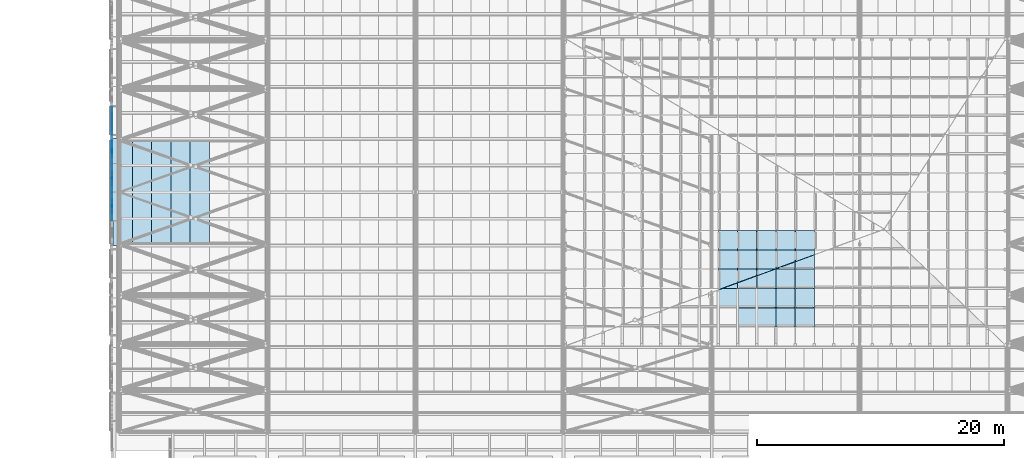
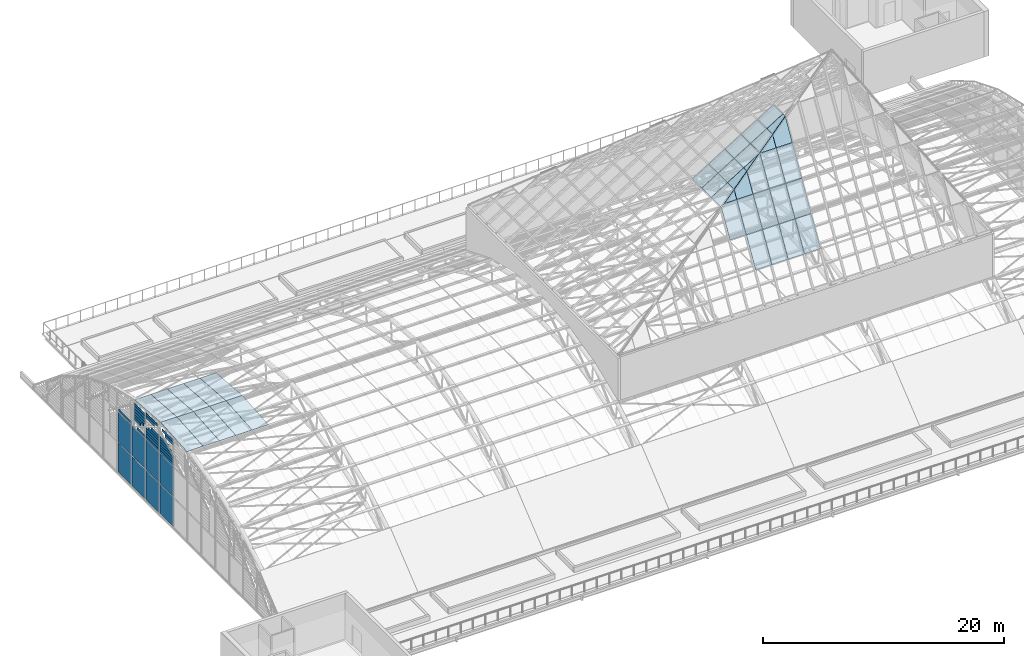
# One storey, part 54 of 110: 71 plates, 1 element without a shape of its own.
"""IFC4 building model written with IfcOpenShell, lengths in metres."""

from ifc_helpers import new_model, si_unit, direction, frame, origin, place, context, subcontext, project, spatial, polyline, outline, extrude, material, layer, layer_set, type_object, element, aggregate, save


model = new_model("IFC4")

# Units and contexts
model_context = context("Model", 3, precision=1e-05, world=origin(), true_north=direction((0.0, 1.0)))
body_context = subcontext(model_context, "Body", "Model", "MODEL_VIEW")
ifc_project = project(units=[si_unit("LENGTHUNIT", "METRE"), si_unit("AREAUNIT", "SQUARE_METRE"), si_unit("VOLUMEUNIT", "CUBIC_METRE"), si_unit("PLANEANGLEUNIT", "RADIAN"), si_unit("MASSUNIT", "GRAM", prefix="KILO")], contexts=[model_context])

# Site, building, storey
site_placement = place(None, origin())
site = spatial("IfcSite", under=ifc_project, at=site_placement, CompositionType="ELEMENT")
building_placement = place(site_placement, origin())
building = spatial("IfcBuilding", under=site, at=building_placement, Name="Windward Yard Aquatics Centre", CompositionType="ELEMENT")
storey_placement = place(building_placement, frame((0.0, 0.0, 22.60009765625)))
storey = spatial("IfcBuildingStorey", under=building, at=storey_placement, Name="L05", CompositionType="ELEMENT", Elevation=22.60009765625)

# Curtain wall, plates
ifc_material_1 = material(Name="Glass and aluminium curtain wall", Category="aluminium")
ifc_layer_1 = layer(ifc_material_1, 0.179931640625)
ifc_layer_set_1 = layer_set([ifc_layer_1], Name="H gable glazing system double glazed 8+16+8")
curtain_wall_type = type_object("IfcCurtainWallType", Name="H gable glazing system double glazed 8+16+8", PredefinedType="NOTDEFINED", material=ifc_layer_set_1)
curtain_wall_placement = place(storey_placement, origin())
curtain_wall = element("IfcCurtainWall", 1, at=curtain_wall_placement, inside=storey, type_object=curtain_wall_type, Name="Gable glazing W", PredefinedType="NOTDEFINED")
ifc_material_2 = material(Name="Low-iron glass", Category="glass")
ifc_layer_2 = layer(ifc_material_2, 0.008, Name="Outer pane")
ifc_material_3 = material(Name="Argon-filled cavity")
ifc_layer_3 = layer(ifc_material_3, 0.016, Name="Cavity")
ifc_layer_4 = layer(ifc_material_2, 0.008, Name="Inner pane")
ifc_layer_set_2 = layer_set([ifc_layer_2, ifc_layer_3, ifc_layer_4], Name="H gable glass low-e double glazed unit 32")
plate_type_1 = type_object("IfcPlateType", Name="H gable glass low-e double glazed unit 32", PredefinedType="CURTAIN_PANEL", material=ifc_layer_set_2)
plate_1_placement = place(storey_placement, frame((59.39404296875, 58.71337890625, 0.099853515625), z_axis=(-1.0, 0.0, 0.0), x_axis=(0.0, 0.0, 1.0)))
plate_1 = element("IfcPlate", 2, at=plate_1_placement, type_object=plate_type_1, Name="Gable panel 9.1", PredefinedType="CURTAIN_PANEL", context=body_context, shape_type="SweptSolid", body=[
    extrude(outline(polyline([(0.0, 0.0), (2.949951, 0.0), (2.949951, 2.25415), (0.0, 2.25415), (0.0, 0.0)])), origin(), (0.0, 0.0, -1.0), 0.031982421875),
])
plate_2_placement = place(storey_placement, frame((59.39404296875, 58.71337890625, 3.14990234375), z_axis=(-1.0, 0.0, 0.0), x_axis=(0.0, 0.0, 1.0)))
plate_2 = element("IfcPlate", 3, at=plate_2_placement, type_object=plate_type_1, Name="Gable panel 9.2", PredefinedType="CURTAIN_PANEL", context=body_context, shape_type="SweptSolid", body=[
    extrude(outline(polyline([(0.0, 0.0), (3.0, 0.0), (3.0, 2.25415), (0.0, 2.25415), (0.0, 0.0)])), origin(), (0.0, 0.0, -1.0), 0.031982421875),
])
plate_3_placement = place(storey_placement, frame((59.426025390625, 58.71337890625, 6.25), z_axis=(1.0, 0.0, 0.0), x_axis=(0.0, 1.0, 0.0)))
plate_3 = element("IfcPlate", 4, at=plate_3_placement, type_object=plate_type_1, Name="Gable panel 9.3a", PredefinedType="CURTAIN_PANEL", context=body_context, shape_type="SweptSolid", body=[
    extrude(outline(polyline([(0.0, 0.0), (2.25415, 0.0), (2.25415, 0.275391), (0.0, 0.275391), (0.0, 0.0)])), origin(), (0.0, 0.0, -1.0), 0.031982421875),
])
plate_4_placement = place(storey_placement, frame((59.426025390625, 58.71337890625, 6.52587890625), z_axis=(1.0, 0.0, 0.0), x_axis=(0.0, 1.0, 0.0)))
plate_4 = element("IfcPlate", 5, at=plate_4_placement, type_object=plate_type_1, Name="Gable panel 9.3b", PredefinedType="CURTAIN_PANEL", context=body_context, shape_type="SweptSolid", body=[
    extrude(outline(polyline([(0.0, 0.0), (2.25415, 0.0), (2.25415, 0.275146), (0.0, 0.275146), (0.0, 0.0)])), origin(), (0.0, 0.0, -1.0), 0.031982421875),
])
plate_5_placement = place(storey_placement, frame((59.426025390625, 58.71337890625, 6.801513671875), z_axis=(1.0, 0.0, 0.0), x_axis=(0.0, 1.0, 0.0)))
plate_5 = element("IfcPlate", 6, at=plate_5_placement, type_object=plate_type_1, Name="Gable panel 9.3c", PredefinedType="CURTAIN_PANEL", context=body_context, shape_type="SweptSolid", body=[
    extrude(outline(polyline([(0.0, 0.0), (2.25415, 0.0), (2.25415, 0.275146), (0.0, 0.275146), (0.0, 0.0)])), origin(), (0.0, 0.0, -1.0), 0.031982421875),
])
plate_6_placement = place(storey_placement, frame((59.426025390625, 58.71337890625, 7.0771484375), z_axis=(1.0, 0.0, 0.0), x_axis=(0.0, 1.0, 0.0)))
plate_6 = element("IfcPlate", 7, at=plate_6_placement, type_object=plate_type_1, Name="Gable panel 9.3d", PredefinedType="CURTAIN_PANEL", context=body_context, shape_type="SweptSolid", body=[
    extrude(outline(polyline([(0.0, 0.0), (2.25415, 0.0), (2.25415, 0.275146), (0.0, 0.275146), (0.0, 0.0)])), origin(), (0.0, 0.0, -1.0), 0.031982421875),
])
plate_7_placement = place(storey_placement, frame((59.426025390625, 59.1123046875, 7.352783203125), z_axis=(1.0, 0.0, 0.0), x_axis=(0.0, 1.0, 0.0)))
plate_7 = element("IfcPlate", 8, at=plate_7_placement, type_object=plate_type_1, Name="Gable panel 9.3e", PredefinedType="CURTAIN_PANEL", context=body_context, shape_type="SweptSolid", body=[
    extrude(outline(polyline([(0.0, 0.0), (1.855225, 0.0), (1.855225, 0.275146), (0.0, 0.275146), (0.0, 0.0)])), origin(), (0.0, 0.0, -1.0), 0.031982421875),
])
plate_8_placement = place(storey_placement, frame((59.426025390625, 59.575927734375, 7.62841796875), z_axis=(1.0, 0.0, 0.0), x_axis=(0.0, 1.0, 0.0)))
plate_8 = element("IfcPlate", 9, at=plate_8_placement, type_object=plate_type_1, Name="Gable panel 9.3f", PredefinedType="CURTAIN_PANEL", context=body_context, shape_type="SweptSolid", body=[
    extrude(outline(polyline([(0.0, 0.0), (1.391602, 0.0), (1.391602, 0.275146), (0.0, 0.275146), (0.0, 0.0)])), origin(), (0.0, 0.0, -1.0), 0.031982421875),
])
plate_9_placement = place(storey_placement, frame((59.426025390625, 58.71337890625, 8.332275390625), z_axis=(1.0, 0.0, 0.0), x_axis=(0.0, 1.0, 0.0)))
plate_9 = element("IfcPlate", 10, at=plate_9_placement, type_object=plate_type_1, Name="Gable panel 9.3k", PredefinedType="CURTAIN_PANEL", context=body_context, shape_type="SweptSolid", body=[
    extrude(outline(polyline([(0.0, 0.0), (1.427246, 0.0), (1.427246, 0.282471), (0.0, 0.282471), (0.0, 0.0)])), origin(), (0.0, 0.0, -1.0), 0.031982421875),
])
plate_10_placement = place(storey_placement, frame((59.426025390625, 58.71337890625, 8.614990234375), z_axis=(1.0, 0.0, 0.0), x_axis=(0.0, 1.0, 0.0)))
plate_10 = element("IfcPlate", 11, at=plate_10_placement, type_object=plate_type_1, Name="Gable panel 9.3l", PredefinedType="CURTAIN_PANEL", context=body_context, shape_type="SweptSolid", body=[
    extrude(outline(polyline([(0.0, 0.0), (1.902832, 0.0), (1.902832, 0.282471), (0.0, 0.282471), (0.0, 0.0)])), origin(), (0.0, 0.0, -1.0), 0.031982421875),
])
plate_11_placement = place(storey_placement, frame((59.39404296875, 61.032470703125, 0.099853515625), z_axis=(-1.0, 0.0, 0.0), x_axis=(0.0, 0.0, 1.0)))
plate_11 = element("IfcPlate", 12, at=plate_11_placement, type_object=plate_type_1, Name="Gable panel 10.1", PredefinedType="CURTAIN_PANEL", context=body_context, shape_type="SweptSolid", body=[
    extrude(outline(polyline([(0.0, 0.0), (2.949951, 0.0), (2.949951, 2.25415), (0.0, 2.25415), (0.0, 0.0)])), origin(), (0.0, 0.0, -1.0), 0.031982421875),
])
plate_12_placement = place(storey_placement, frame((59.39404296875, 61.032470703125, 3.14990234375), z_axis=(-1.0, 0.0, 0.0), x_axis=(0.0, 0.0, 1.0)))
plate_12 = element("IfcPlate", 13, at=plate_12_placement, type_object=plate_type_1, Name="Gable panel 10.2", PredefinedType="CURTAIN_PANEL", context=body_context, shape_type="SweptSolid", body=[
    extrude(outline(polyline([(0.0, 0.0), (3.0, 0.0), (3.0, 2.25415), (0.0, 2.25415), (0.0, 0.0)])), origin(), (0.0, 0.0, -1.0), 0.031982421875),
])
plate_13_placement = place(storey_placement, frame((59.426025390625, 61.032470703125, 6.25), z_axis=(1.0, 0.0, 0.0), x_axis=(0.0, 1.0, 0.0)))
plate_13 = element("IfcPlate", 14, at=plate_13_placement, type_object=plate_type_1, Name="Gable panel 10.3a", PredefinedType="CURTAIN_PANEL", context=body_context, shape_type="SweptSolid", body=[
    extrude(outline(polyline([(0.0, 0.0), (2.25415, 0.0), (2.25415, 0.275391), (0.0, 0.275391), (0.0, 0.0)])), origin(), (0.0, 0.0, -1.0), 0.031982421875),
])
plate_14_placement = place(storey_placement, frame((59.426025390625, 61.032470703125, 6.52587890625), z_axis=(1.0, 0.0, 0.0), x_axis=(0.0, 1.0, 0.0)))
plate_14 = element("IfcPlate", 15, at=plate_14_placement, type_object=plate_type_1, Name="Gable panel 10.3b", PredefinedType="CURTAIN_PANEL", context=body_context, shape_type="SweptSolid", body=[
    extrude(outline(polyline([(0.0, 0.0), (2.25415, 0.0), (2.25415, 0.275146), (0.0, 0.275146), (0.0, 0.0)])), origin(), (0.0, 0.0, -1.0), 0.031982421875),
])
plate_15_placement = place(storey_placement, frame((59.426025390625, 61.032470703125, 6.801513671875), z_axis=(1.0, 0.0, 0.0), x_axis=(0.0, 1.0, 0.0)))
plate_15 = element("IfcPlate", 16, at=plate_15_placement, type_object=plate_type_1, Name="Gable panel 10.3c", PredefinedType="CURTAIN_PANEL", context=body_context, shape_type="SweptSolid", body=[
    extrude(outline(polyline([(0.0, 0.0), (2.25415, 0.0), (2.25415, 0.275146), (0.0, 0.275146), (0.0, 0.0)])), origin(), (0.0, 0.0, -1.0), 0.031982421875),
])
plate_16_placement = place(storey_placement, frame((59.426025390625, 61.032470703125, 7.0771484375), z_axis=(1.0, 0.0, 0.0), x_axis=(0.0, 1.0, 0.0)))
plate_16 = element("IfcPlate", 17, at=plate_16_placement, type_object=plate_type_1, Name="Gable panel 10.3d", PredefinedType="CURTAIN_PANEL", context=body_context, shape_type="SweptSolid", body=[
    extrude(outline(polyline([(0.0, 0.0), (2.25415, 0.0), (2.25415, 0.275146), (0.0, 0.275146), (0.0, 0.0)])), origin(), (0.0, 0.0, -1.0), 0.031982421875),
])
plate_17_placement = place(storey_placement, frame((59.426025390625, 61.032470703125, 7.352783203125), z_axis=(1.0, 0.0, 0.0), x_axis=(0.0, 1.0, 0.0)))
plate_17 = element("IfcPlate", 18, at=plate_17_placement, type_object=plate_type_1, Name="Gable panel 10.3e", PredefinedType="CURTAIN_PANEL", context=body_context, shape_type="SweptSolid", body=[
    extrude(outline(polyline([(0.0, 0.0), (1.855225, 0.0), (1.855225, 0.275146), (0.0, 0.275146), (0.0, 0.0)])), origin(), (0.0, 0.0, -1.0), 0.031982421875),
])
plate_18_placement = place(storey_placement, frame((59.426025390625, 61.032470703125, 7.62841796875), z_axis=(1.0, 0.0, 0.0), x_axis=(0.0, 1.0, 0.0)))
plate_18 = element("IfcPlate", 19, at=plate_18_placement, type_object=plate_type_1, Name="Gable panel 10.3f", PredefinedType="CURTAIN_PANEL", context=body_context, shape_type="SweptSolid", body=[
    extrude(outline(polyline([(0.0, 0.0), (1.391602, 0.0), (1.391602, 0.275146), (0.0, 0.275146), (0.0, 0.0)])), origin(), (0.0, 0.0, -1.0), 0.031982421875),
])
plate_19_placement = place(storey_placement, frame((59.426025390625, 61.859375, 8.332275390625), z_axis=(1.0, 0.0, 0.0), x_axis=(0.0, 1.0, 0.0)))
plate_19 = element("IfcPlate", 20, at=plate_19_placement, type_object=plate_type_1, Name="Gable panel 10.3k", PredefinedType="CURTAIN_PANEL", context=body_context, shape_type="SweptSolid", body=[
    extrude(outline(polyline([(0.0, 0.0), (1.427246, 0.0), (1.427246, 0.282471), (0.0, 0.282471), (0.0, 0.0)])), origin(), (0.0, 0.0, -1.0), 0.031982421875),
])
plate_20_placement = place(storey_placement, frame((59.426025390625, 61.3837890625, 8.614990234375), z_axis=(1.0, 0.0, 0.0), x_axis=(0.0, 1.0, 0.0)))
plate_20 = element("IfcPlate", 21, at=plate_20_placement, type_object=plate_type_1, Name="Gable panel 10.3l", PredefinedType="CURTAIN_PANEL", context=body_context, shape_type="SweptSolid", body=[
    extrude(outline(polyline([(0.0, 0.0), (1.902832, 0.0), (1.902832, 0.282471), (0.0, 0.282471), (0.0, 0.0)])), origin(), (0.0, 0.0, -1.0), 0.031982421875),
])
plate_21_placement = place(storey_placement, frame((59.39404296875, 63.351806640625, 0.099853515625), z_axis=(-1.0, 0.0, 0.0), x_axis=(0.0, 0.0, 1.0)))
plate_21 = element("IfcPlate", 22, at=plate_21_placement, type_object=plate_type_1, Name="Gable panel 11.1", PredefinedType="CURTAIN_PANEL", context=body_context, shape_type="SweptSolid", body=[
    extrude(outline(polyline([(0.0, 0.0), (2.949951, 0.0), (2.949951, 2.25415), (0.0, 2.25415), (0.0, 0.0)])), origin(), (0.0, 0.0, -1.0), 0.031982421875),
])
plate_22_placement = place(storey_placement, frame((59.39404296875, 63.351806640625, 3.14990234375), z_axis=(-1.0, 0.0, 0.0), x_axis=(0.0, 0.0, 1.0)))
plate_22 = element("IfcPlate", 23, at=plate_22_placement, type_object=plate_type_1, Name="Gable panel 11.2", PredefinedType="CURTAIN_PANEL", context=body_context, shape_type="SweptSolid", body=[
    extrude(outline(polyline([(0.0, 0.0), (3.0, 0.0), (3.0, 2.25415), (0.0, 2.25415), (0.0, 0.0)])), origin(), (0.0, 0.0, -1.0), 0.031982421875),
])
plate_23_placement = place(storey_placement, frame((59.426025390625, 63.351806640625, 6.25), z_axis=(1.0, 0.0, 0.0), x_axis=(0.0, 1.0, 0.0)))
plate_23 = element("IfcPlate", 24, at=plate_23_placement, type_object=plate_type_1, Name="Gable panel 11.3p", PredefinedType="CURTAIN_PANEL", context=body_context, shape_type="SweptSolid", body=[
    extrude(outline(polyline([(0.0, 0.0), (1.391113, 0.0), (1.391113, 0.275391), (0.0, 0.275391), (0.0, 0.0)])), origin(), (0.0, 0.0, -1.0), 0.031982421875),
])
plate_24_placement = place(storey_placement, frame((59.426025390625, 64.16015625, 6.96484375), z_axis=(1.0, 0.0, 0.0), x_axis=(0.0, 1.0, 0.0)))
plate_24 = element("IfcPlate", 25, at=plate_24_placement, type_object=plate_type_1, Name="Gable panel 11.3t", PredefinedType="CURTAIN_PANEL", context=body_context, shape_type="SweptSolid", body=[
    extrude(outline(polyline([(0.0, 0.0), (0.97998, 0.0), (0.97998, 0.290771), (0.0, 0.290771), (0.0, 0.0)])), origin(), (0.0, 0.0, -1.0), 0.031982421875),
])
plate_25_placement = place(storey_placement, frame((59.426025390625, 63.670166015625, 7.255859375), z_axis=(1.0, 0.0, 0.0), x_axis=(0.0, 1.0, 0.0)))
plate_25 = element("IfcPlate", 26, at=plate_25_placement, type_object=plate_type_1, Name="Gable panel 11.3u", PredefinedType="CURTAIN_PANEL", context=body_context, shape_type="SweptSolid", body=[
    extrude(outline(polyline([(0.0, 0.0), (1.469971, 0.0), (1.469971, 0.290771), (0.0, 0.290771), (0.0, 0.0)])), origin(), (0.0, 0.0, -1.0), 0.031982421875),
])
plate_26_placement = place(storey_placement, frame((59.426025390625, 63.351806640625, 7.547119140625), z_axis=(1.0, 0.0, 0.0), x_axis=(0.0, 1.0, 0.0)))
plate_26 = element("IfcPlate", 27, at=plate_26_placement, type_object=plate_type_1, Name="Gable panel 11.3v", PredefinedType="CURTAIN_PANEL", context=body_context, shape_type="SweptSolid", body=[
    extrude(outline(polyline([(0.0, 0.0), (1.78833, 0.0), (1.78833, 0.290771), (0.0, 0.290771), (0.0, 0.0)])), origin(), (0.0, 0.0, -1.0), 0.031982421875),
])
plate_27_placement = place(storey_placement, frame((59.426025390625, 63.351806640625, 7.83837890625), z_axis=(1.0, 0.0, 0.0), x_axis=(0.0, 1.0, 0.0)))
plate_27 = element("IfcPlate", 28, at=plate_27_placement, type_object=plate_type_1, Name="Gable panel 11.3w", PredefinedType="CURTAIN_PANEL", context=body_context, shape_type="SweptSolid", body=[
    extrude(outline(polyline([(0.0, 0.0), (1.78833, 0.0), (1.78833, 0.290771), (0.0, 0.290771), (0.0, 0.0)])), origin(), (0.0, 0.0, -1.0), 0.031982421875),
])
plate_28_placement = place(storey_placement, frame((59.426025390625, 63.351806640625, 8.12939453125), z_axis=(1.0, 0.0, 0.0), x_axis=(0.0, 1.0, 0.0)))
plate_28 = element("IfcPlate", 29, at=plate_28_placement, type_object=plate_type_1, Name="Gable panel 11.3x", PredefinedType="CURTAIN_PANEL", context=body_context, shape_type="SweptSolid", body=[
    extrude(outline(polyline([(0.0, 0.0), (1.78833, 0.0), (1.78833, 0.290771), (0.0, 0.290771), (0.0, 0.0)])), origin(), (0.0, 0.0, -1.0), 0.031982421875),
])
plate_29_placement = place(storey_placement, frame((59.426025390625, 63.351806640625, 8.420654296875), z_axis=(1.0, 0.0, 0.0), x_axis=(0.0, 1.0, 0.0)))
plate_29 = element("IfcPlate", 30, at=plate_29_placement, type_object=plate_type_1, Name="Gable panel 11.3y", PredefinedType="CURTAIN_PANEL", context=body_context, shape_type="SweptSolid", body=[
    extrude(outline(polyline([(0.0, 0.0), (1.78833, 0.0), (1.78833, 0.290771), (0.0, 0.290771), (0.0, 0.0)])), origin(), (0.0, 0.0, -1.0), 0.031982421875),
])
plate_30_placement = place(storey_placement, frame((59.39404296875, 65.6708984375, 0.099853515625), z_axis=(-1.0, 0.0, 0.0), x_axis=(0.0, 0.0, 1.0)))
plate_30 = element("IfcPlate", 31, at=plate_30_placement, type_object=plate_type_1, Name="Gable panel 12.1", PredefinedType="CURTAIN_PANEL", context=body_context, shape_type="SweptSolid", body=[
    extrude(outline(polyline([(0.0, 0.0), (2.949951, 0.0), (2.949951, 2.254395), (0.0, 2.254395), (0.0, 0.0)])), origin(), (0.0, 0.0, -1.0), 0.031982421875),
])
plate_31_placement = place(storey_placement, frame((59.39404296875, 65.6708984375, 3.14990234375), z_axis=(-1.0, 0.0, 0.0), x_axis=(0.0, 0.0, 1.0)))
plate_31 = element("IfcPlate", 32, at=plate_31_placement, type_object=plate_type_1, Name="Gable panel 12.2", PredefinedType="CURTAIN_PANEL", context=body_context, shape_type="SweptSolid", body=[
    extrude(outline(polyline([(0.0, 0.0), (3.0, 0.0), (3.0, 2.254395), (0.0, 2.254395), (0.0, 0.0)])), origin(), (0.0, 0.0, -1.0), 0.031982421875),
])
plate_32_placement = place(storey_placement, frame((59.426025390625, 65.6708984375, 6.25), z_axis=(1.0, 0.0, 0.0), x_axis=(0.0, 1.0, 0.0)))
plate_32 = element("IfcPlate", 33, at=plate_32_placement, type_object=plate_type_1, Name="Gable panel 12.3a", PredefinedType="CURTAIN_PANEL", context=body_context, shape_type="SweptSolid", body=[
    extrude(outline(polyline([(0.0, 0.0), (2.15625, 0.0), (2.15625, 0.266846), (0.0, 0.266846), (0.0, 0.0)])), origin(), (0.0, 0.0, -1.0), 0.031982421875),
])
aggregate(curtain_wall, [plate_1, plate_2, plate_3, plate_4, plate_5, plate_6, plate_7, plate_8, plate_9, plate_10, plate_11, plate_12, plate_13, plate_14, plate_15, plate_16, plate_17, plate_18, plate_19, plate_20, plate_21, plate_22, plate_23, plate_24, plate_25, plate_26, plate_27, plate_28, plate_29, plate_30, plate_31, plate_32])

# Plates
ifc_material_4 = material(Name="Laminated low-e glass", Category="glass")
ifc_layer_5 = layer(ifc_material_4, 0.035888671875)
ifc_layer_set_3 = layer_set([ifc_layer_5], Name="H lantern glass laminated low-e 36")
plate_type_2 = type_object("IfcPlateType", Name="H lantern glass laminated low-e 36", PredefinedType="SHEET", material=ifc_layer_set_3)
for number, where, z_axis, x_axis, name in (
    (34, (114.7822265625, 50.07568359375, 13.533203125), (0.0, -0.860106530547, 0.510114453933), (0.0, 0.510114453933, 0.860106530547), "H.LN.G.01.046"),
    (35, (114.7822265625, 51.636962890625, 16.16552734375), (0.0, -0.860106530547, 0.510114453933), (0.0, 0.510114453933, 0.860106530547), "H.LN.G.01.047"),
):
    element("IfcPlate", number, at=place(storey_placement, frame(where, z_axis=z_axis, x_axis=x_axis)), inside=storey, type_object=plate_type_2, Name=name, PredefinedType="SHEET", context=body_context, shape_type="SweptSolid", body=[
        extrude(outline(polyline([(0.0, 0.0), (3.044851, 0.0), (3.044851, -1.548584), (0.0, -1.548584), (0.0, 0.0)])), origin(), (0.0, 0.0, -1.0), 0.035888671875),
    ])
plate_33_placement = place(storey_placement, frame((114.7822265625, 53.197998046875, 18.7978515625), z_axis=(0.0, -0.860085663828, 0.510149635771), x_axis=(0.0, 0.510149635771, 0.860085663828)))
element("IfcPlate", 36, at=plate_33_placement, inside=storey, type_object=plate_type_2, Name="H.LN.G.01.048", PredefinedType="SHEET", context=body_context, shape_type="SweptSolid", body=[
    extrude(outline(polyline([(0.0, 0.0), (3.044641, 0.0), (3.044641, -1.548584), (0.0, -1.548584), (0.0, 0.0)])), origin(), (0.0, 0.0, -1.0), 0.035888671875),
])
plate_34_placement = place(storey_placement, frame((114.7822265625, 54.75927734375, 21.43017578125), z_axis=(-7.153004e-06, -0.860067347333, 0.510180515112), x_axis=(-6.8e-11, 0.510180515125, 0.860067347355)))
element("IfcPlate", 37, at=plate_34_placement, inside=storey, type_object=plate_type_2, Name="H.LN.G.01.049", PredefinedType="SHEET", context=body_context, shape_type="SweptSolid", body=[
    extrude(outline(polyline([(0.0, 0.0), (1.160435, 0.0), (2.272594, -1.548584), (0.0, -1.548584), (0.0, 0.0)])), origin(), (0.0, 0.0, -1.0), 0.035888671875),
])
for number, where, z_axis, x_axis, name in (
    (38, (113.2255859375, 50.07568359375, 13.533203125), (0.0, -0.860106530547, 0.510114453933), (0.0, 0.510114453933, 0.860106530547), "H.LN.G.01.051"),
    (39, (113.2255859375, 51.636962890625, 16.16552734375), (0.0, -0.860106530547, 0.510114453933), (0.0, 0.510114453933, 0.860106530547), "H.LN.G.01.052"),
):
    element("IfcPlate", number, at=place(storey_placement, frame(where, z_axis=z_axis, x_axis=x_axis)), inside=storey, type_object=plate_type_2, Name=name, PredefinedType="SHEET", context=body_context, shape_type="SweptSolid", body=[
        extrude(outline(polyline([(0.0, 0.0), (3.044851, 0.0), (3.044851, -1.548828), (0.0, -1.548828), (0.0, 0.0)])), origin(), (0.0, 0.0, -1.0), 0.035888671875),
    ])
plate_35_placement = place(storey_placement, frame((113.2255859375, 53.197998046875, 18.7978515625), z_axis=(0.0, -0.860085663828, 0.510149635771), x_axis=(0.0, 0.510149635771, 0.860085663828)))
element("IfcPlate", 40, at=plate_35_placement, inside=storey, type_object=plate_type_2, Name="H.LN.G.01.053", PredefinedType="SHEET", context=body_context, shape_type="SweptSolid", body=[
    extrude(outline(polyline([(0.0, 0.0), (3.044641, 0.0), (3.044641, -1.548828), (0.0, -1.548828), (0.0, 0.0)])), origin(), (0.0, 0.0, -1.0), 0.035888671875),
])
plate_36_placement = place(storey_placement, frame((113.2255859375, 54.75927734375, 21.43017578125), z_axis=(-3.278428e-06, -0.860072851421, 0.510171236192), x_axis=(-3.91e-10, 0.510171236194, 0.860072851426)))
element("IfcPlate", 41, at=plate_36_placement, inside=storey, type_object=plate_type_2, Name="H.LN.G.01.054", PredefinedType="SHEET", context=body_context, shape_type="SweptSolid", body=[
    extrude(outline(polyline([(0.0, 0.0), (0.042582, 0.0), (1.154741, -1.548828), (0.0, -1.548828), (0.0, 0.0)])), origin(), (0.0, 0.0, -1.0), 0.035888671875),
])
for number, where, z_axis, x_axis, name in (
    (42, (111.669189453125, 50.07568359375, 13.533203125), (0.0, -0.860106530547, 0.510114453933), (0.0, 0.510114453933, 0.860106530547), "H.LN.G.01.056"),
    (43, (111.669189453125, 51.636962890625, 16.16552734375), (0.0, -0.860106530547, 0.510114453933), (0.0, 0.510114453933, 0.860106530547), "H.LN.G.01.057"),
):
    element("IfcPlate", number, at=place(storey_placement, frame(where, z_axis=z_axis, x_axis=x_axis)), inside=storey, type_object=plate_type_2, Name=name, PredefinedType="SHEET", context=body_context, shape_type="SweptSolid", body=[
        extrude(outline(polyline([(0.0, 0.0), (3.044851, 0.0), (3.044851, -1.548584), (0.0, -1.548584), (0.0, 0.0)])), origin(), (0.0, 0.0, -1.0), 0.035888671875),
    ])
plate_37_placement = place(storey_placement, frame((111.669189453125, 53.197998046875, 18.7978515625), z_axis=(-1.5018198e-05, -0.860081950547, 0.510155895895), x_axis=(-1.84e-10, 0.510155895953, 0.860081950644)))
element("IfcPlate", 44, at=plate_37_placement, inside=storey, type_object=plate_type_2, Name="H.LN.G.01.058", PredefinedType="SHEET", context=body_context, shape_type="SweptSolid", body=[
    extrude(outline(polyline([(0.0, 0.0), (1.985029, 0.0), (3.044641, -1.475586), (3.044641, -1.548584), (0.0, -1.548584), (0.0, 0.0)])), origin(), (0.0, 0.0, -1.0), 0.035888671875),
])
for number, where, z_axis, x_axis, name in (
    (45, (110.11279296875, 50.07568359375, 13.533203125), (0.0, -0.860106530547, 0.510114453933), (0.0, 0.510114453933, 0.860106530547), "H.LN.G.01.060"),
    (46, (110.11279296875, 51.636962890625, 16.16552734375), (0.0, -0.860106530547, 0.510114453933), (0.0, 0.510114453933, 0.860106530547), "H.LN.G.01.061"),
):
    element("IfcPlate", number, at=place(storey_placement, frame(where, z_axis=z_axis, x_axis=x_axis)), inside=storey, type_object=plate_type_2, Name=name, PredefinedType="SHEET", context=body_context, shape_type="SweptSolid", body=[
        extrude(outline(polyline([(0.0, 0.0), (3.044851, 0.0), (3.044851, -1.54834), (0.0, -1.54834), (0.0, 0.0)])), origin(), (0.0, 0.0, -1.0), 0.035888671875),
    ])
plate_38_placement = place(storey_placement, frame((110.11279296875, 53.197998046875, 18.7978515625), z_axis=(-5.0474802e-05, -0.860062945799, 0.510187932743), x_axis=(-4.55e-09, 0.510187933393, 0.860062946894)))
element("IfcPlate", 47, at=plate_38_placement, inside=storey, type_object=plate_type_2, Name="H.LN.G.01.062", PredefinedType="SHEET", context=body_context, shape_type="SweptSolid", body=[
    extrude(outline(polyline([(0.0, 0.0), (0.866966, 0.0), (1.979335, -1.54834), (0.0, -1.54834), (0.0, 0.0)])), origin(), (0.0, 0.0, -1.0), 0.035888671875),
])
plate_39_placement = place(storey_placement, frame((108.55615234375, 51.636962890625, 16.16552734375), z_axis=(2.2852055e-05, -0.860107784671, 0.510112338829), x_axis=(-5.15e-10, 0.510112338962, 0.860107784896)))
element("IfcPlate", 48, at=plate_39_placement, inside=storey, type_object=plate_type_2, Name="H.LN.G.01.065", PredefinedType="SHEET", context=body_context, shape_type="SweptSolid", body=[
    extrude(outline(polyline([(0.0, 0.0), (2.809499, 0.0), (3.044851, -0.327637), (3.044851, -1.548584), (0.0, -1.548584), (0.0, 0.0)])), origin(), (0.0, 0.0, -1.0), 0.035888671875),
])
plate_40_placement = place(storey_placement, frame((108.905517578125, 53.197998046875, 18.7978515625), z_axis=(0.0, -0.860033570938, 0.510237451447), x_axis=(0.812229312892, 0.297641034854, 0.50169049986)))
element("IfcPlate", 49, at=plate_40_placement, inside=storey, type_object=plate_type_2, Name="H.LN.G.01.066", PredefinedType="SHEET", context=body_context, shape_type="SweptSolid", body=[
    extrude(outline(polyline([(0.0, 0.0), (1.476453, 0.0), (0.974041, -0.69955), (0.0, 0.0)])), origin(), (0.0, 0.0, -1.0), 0.035888671875),
])
plate_41_placement = place(storey_placement, frame((108.55615234375, 53.197998046875, 18.589111328125), z_axis=(-0.52560866151, -3.3412673e-05, 0.850726474155), x_axis=(-1.756199e-05, 0.999999999442, 2.8425046e-05)))
element("IfcPlate", 50, at=plate_41_placement, inside=storey, type_object=plate_type_2, Name="H.LN.G.04.026", PredefinedType="SHEET", context=body_context, shape_type="SweptSolid", body=[
    extrude(outline(polyline([(0.0, 0.0), (1.553223, 0.0), (1.553223, -1.820317), (0.447998, -1.820317), (0.0, -0.383349), (0.0, 0.0)])), origin(), (0.0, 0.0, -1.0), 0.035888671875),
])
plate_42_placement = place(storey_placement, frame((110.11279296875, 53.64892578125, 19.55078125), z_axis=(-0.525578555888, 0.0, 0.850745074385), x_axis=(0.0, 1.0, 0.0)))
element("IfcPlate", 51, at=plate_42_placement, inside=storey, type_object=plate_type_2, Name="H.LN.G.04.027", PredefinedType="SHEET", context=body_context, shape_type="SweptSolid", body=[
    extrude(outline(polyline([(0.0, 0.0), (1.102295, 0.0), (1.102295, -1.819981), (0.567383, -1.819981), (0.0, 0.0)])), origin(), (0.0, 0.0, -1.0), 0.035888671875),
])
plate_43_placement = place(storey_placement, frame((111.669189453125, 54.21923828125, 20.51220703125), z_axis=(-0.525556816734, 0.0, 0.85075850415), x_axis=(0.0, 1.0, 0.0)))
element("IfcPlate", 52, at=plate_43_placement, inside=storey, type_object=plate_type_2, Name="H.LN.G.04.028", PredefinedType="SHEET", context=body_context, shape_type="SweptSolid", body=[
    extrude(outline(polyline([(0.0, 0.0), (0.531982, 0.0), (0.531982, -1.707174), (0.0, 0.0)])), origin(), (0.0, 0.0, -1.0), 0.035888671875),
])
plate_44_placement = place(storey_placement, frame((108.55615234375, 54.75927734375, 18.589111328125), z_axis=(-0.525615657471, 0.0, 0.850722152422), x_axis=(0.0, 1.0, 0.0)))
element("IfcPlate", 53, at=plate_44_placement, inside=storey, type_object=plate_type_2, Name="H.LN.G.04.037", PredefinedType="SHEET", context=body_context, shape_type="SweptSolid", body=[
    extrude(outline(polyline([(0.0, 0.0), (1.553223, 0.0), (1.553223, -1.820317), (0.0, -1.820317), (0.0, 0.0)])), origin(), (0.0, 0.0, -1.0), 0.035888671875),
])
plate_45_placement = place(storey_placement, frame((110.11279296875, 54.75927734375, 19.55078125), z_axis=(-0.525578555888, 0.0, 0.850745074385), x_axis=(0.0, 1.0, 0.0)))
element("IfcPlate", 54, at=plate_45_placement, inside=storey, type_object=plate_type_2, Name="H.LN.G.04.038", PredefinedType="SHEET", context=body_context, shape_type="SweptSolid", body=[
    extrude(outline(polyline([(0.0, 0.0), (1.553223, 0.0), (1.553223, -1.819981), (0.0, -1.819981), (0.0, 0.0)])), origin(), (0.0, 0.0, -1.0), 0.035888671875),
])
plate_46_placement = place(storey_placement, frame((111.669189453125, 54.75927734375, 20.51220703125), z_axis=(-0.525615181144, -3.7245522e-05, 0.850722445903), x_axis=(-1.9576812e-05, 0.999999999306, 3.1685602e-05)))
element("IfcPlate", 55, at=plate_46_placement, inside=storey, type_object=plate_type_2, Name="H.LN.G.04.039", PredefinedType="SHEET", context=body_context, shape_type="SweptSolid", body=[
    extrude(outline(polyline([(0.0, 0.0), (1.553223, 0.0), (1.553223, -1.820317), (0.027344, -1.820317), (0.0, -1.732716), (0.0, 0.0)])), origin(), (0.0, 0.0, -1.0), 0.035888671875),
])
plate_47_placement = place(storey_placement, frame((113.2255859375, 54.78955078125, 21.473876953125), z_axis=(-0.525458616984, 0.0, 0.850819159303), x_axis=(0.0, 1.0, 0.0)))
element("IfcPlate", 56, at=plate_47_placement, inside=storey, type_object=plate_type_2, Name="H.LN.G.04.040", PredefinedType="SHEET", context=body_context, shape_type="SweptSolid", body=[
    extrude(outline(polyline([(0.0, 0.0), (1.522949, 0.0), (1.522949, -1.820396), (0.567139, -1.820396), (0.0, 0.0)])), origin(), (0.0, 0.0, -1.0), 0.035888671875),
])
plate_48_placement = place(storey_placement, frame((114.7822265625, 55.35986328125, 22.435302734375), z_axis=(-0.525615657471, 0.0, 0.850722152422), x_axis=(0.0, 1.0, 0.0)))
element("IfcPlate", 57, at=plate_48_placement, inside=storey, type_object=plate_type_2, Name="H.LN.G.04.041", PredefinedType="SHEET", context=body_context, shape_type="SweptSolid", body=[
    extrude(outline(polyline([(0.0, 0.0), (0.952637, 0.0), (0.952637, -1.820317), (0.567139, -1.820317), (0.0, 0.0)])), origin(), (0.0, 0.0, -1.0), 0.035888671875),
])
plate_49_placement = place(storey_placement, frame((108.55615234375, 56.320556640625, 18.589111328125), z_axis=(-0.525615657471, 0.0, 0.850722152422), x_axis=(0.0, 1.0, 0.0)))
element("IfcPlate", 58, at=plate_49_placement, inside=storey, type_object=plate_type_2, Name="H.LN.G.04.051", PredefinedType="SHEET", context=body_context, shape_type="SweptSolid", body=[
    extrude(outline(polyline([(0.0, 0.0), (1.552979, 0.0), (1.552979, -1.820317), (0.0, -1.820317), (0.0, 0.0)])), origin(), (0.0, 0.0, -1.0), 0.035888671875),
])
plate_50_placement = place(storey_placement, frame((110.11279296875, 56.320556640625, 19.55078125), z_axis=(-0.525578555888, 0.0, 0.850745074385), x_axis=(0.0, 1.0, 0.0)))
element("IfcPlate", 59, at=plate_50_placement, inside=storey, type_object=plate_type_2, Name="H.LN.G.04.052", PredefinedType="SHEET", context=body_context, shape_type="SweptSolid", body=[
    extrude(outline(polyline([(0.0, 0.0), (1.552979, 0.0), (1.552979, -1.819981), (0.0, -1.819981), (0.0, 0.0)])), origin(), (0.0, 0.0, -1.0), 0.035888671875),
])
plate_51_placement = place(storey_placement, frame((111.669189453125, 56.320556640625, 20.51220703125), z_axis=(-0.525615657471, 0.0, 0.850722152422), x_axis=(0.0, 1.0, 0.0)))
element("IfcPlate", 60, at=plate_51_placement, inside=storey, type_object=plate_type_2, Name="H.LN.G.04.053", PredefinedType="SHEET", context=body_context, shape_type="SweptSolid", body=[
    extrude(outline(polyline([(0.0, 0.0), (1.552979, 0.0), (1.552979, -1.820317), (0.0, -1.820317), (0.0, 0.0)])), origin(), (0.0, 0.0, -1.0), 0.035888671875),
])
plate_52_placement = place(storey_placement, frame((113.2255859375, 56.320556640625, 21.473876953125), z_axis=(-0.525458616984, 0.0, 0.850819159303), x_axis=(0.0, 1.0, 0.0)))
element("IfcPlate", 61, at=plate_52_placement, inside=storey, type_object=plate_type_2, Name="H.LN.G.04.054", PredefinedType="SHEET", context=body_context, shape_type="SweptSolid", body=[
    extrude(outline(polyline([(0.0, 0.0), (1.552979, 0.0), (1.552979, -1.820396), (0.0, -1.820396), (0.0, 0.0)])), origin(), (0.0, 0.0, -1.0), 0.035888671875),
])
plate_53_placement = place(storey_placement, frame((114.7822265625, 56.320556640625, 22.435302734375), z_axis=(-0.525615657471, 0.0, 0.850722152422), x_axis=(0.0, 1.0, 0.0)))
element("IfcPlate", 62, at=plate_53_placement, inside=storey, type_object=plate_type_2, Name="H.LN.G.04.055", PredefinedType="SHEET", context=body_context, shape_type="SweptSolid", body=[
    extrude(outline(polyline([(0.0, 0.0), (1.552979, 0.0), (1.552979, -1.820317), (0.0, -1.820317), (0.0, 0.0)])), origin(), (0.0, 0.0, -1.0), 0.035888671875),
])
ifc_material_5 = material(Name="Translucent multiwall polycarbonate sheet")
ifc_layer_6 = layer(ifc_material_5, 0.031982421875)
ifc_layer_set_4 = layer_set([ifc_layer_6], Name="H translucent roof sheet multiwall polycarbonate 32")
plate_type_3 = type_object("IfcPlateType", Name="H translucent roof sheet multiwall polycarbonate 32", PredefinedType="SHEET", material=ifc_layer_set_4)
for number, where, z_axis, x_axis, name in (
    (63, (59.501953125, 26.0, 0.0), (1.0, 0.0, 0.0), (0.0, 1.0, 0.0), "Daylight roof sheet bay 1 facet 5 sheet 1"),
    (64, (61.064453125, 26.0, 0.0), (1.0, 0.0, 0.0), (0.0, 1.0, 0.0), "Daylight roof sheet bay 1 facet 5 sheet 2"),
    (65, (62.626953125, 26.0, 0.0), (1.0, 0.0, 0.0), (0.0, 1.0, 0.0), "Daylight roof sheet bay 1 facet 5 sheet 3"),
    (66, (64.189453125, 26.0, 0.0), (1.0, 0.0, 0.0), (0.0, 1.0, 0.0), "Daylight roof sheet bay 1 facet 5 sheet 4"),
    (67, (65.751953125, 26.0, 0.0), (1.0, 0.0, 0.0), (0.0, 1.0, 0.0), "Daylight roof sheet bay 1 facet 5 sheet 5"),
):
    element("IfcPlate", number, at=place(storey_placement, frame(where, z_axis=z_axis, x_axis=x_axis)), inside=storey, type_object=plate_type_3, Name=name, PredefinedType="SHEET", context=body_context, shape_type="SweptSolid", body=[
        extrude(outline(polyline([(30.669677734375, 8.871337890625), (35.0, 9.202880859375), (35.0, 9.235107421875), (30.664794921875, 8.903076171875), (30.669677734375, 8.871337890625)])), origin(), (0.0, 0.0, 1.0), 1.55859375),
    ])
for number, where, z_axis, x_axis, name in (
    (68, (59.501953125, 26.0, 0.0), (1.0, 0.0, 0.0), (0.0, 1.0, 0.0), "Daylight roof sheet bay 1 facet 6 sheet 1"),
    (69, (61.064453125, 26.0, 0.0), (1.0, 0.0, 0.0), (0.0, 1.0, 0.0), "Daylight roof sheet bay 1 facet 6 sheet 2"),
    (70, (62.626953125, 26.0, 0.0), (1.0, 0.0, 0.0), (0.0, 1.0, 0.0), "Daylight roof sheet bay 1 facet 6 sheet 3"),
    (71, (64.189453125, 26.0, 0.0), (1.0, 0.0, 0.0), (0.0, 1.0, 0.0), "Daylight roof sheet bay 1 facet 6 sheet 4"),
    (72, (65.751953125, 26.0, 0.0), (1.0, 0.0, 0.0), (0.0, 1.0, 0.0), "Daylight roof sheet bay 1 facet 6 sheet 5"),
):
    element("IfcPlate", number, at=place(storey_placement, frame(where, z_axis=z_axis, x_axis=x_axis)), inside=storey, type_object=plate_type_3, Name=name, PredefinedType="SHEET", context=body_context, shape_type="SweptSolid", body=[
        extrude(outline(polyline([(35.0, 9.202880859375), (39.330322265625, 8.871337890625), (39.335205078125, 8.903076171875), (35.0, 9.235107421875), (35.0, 9.202880859375)])), origin(), (0.0, 0.0, 1.0), 1.55859375),
    ])

save(model, "model.ifc")
